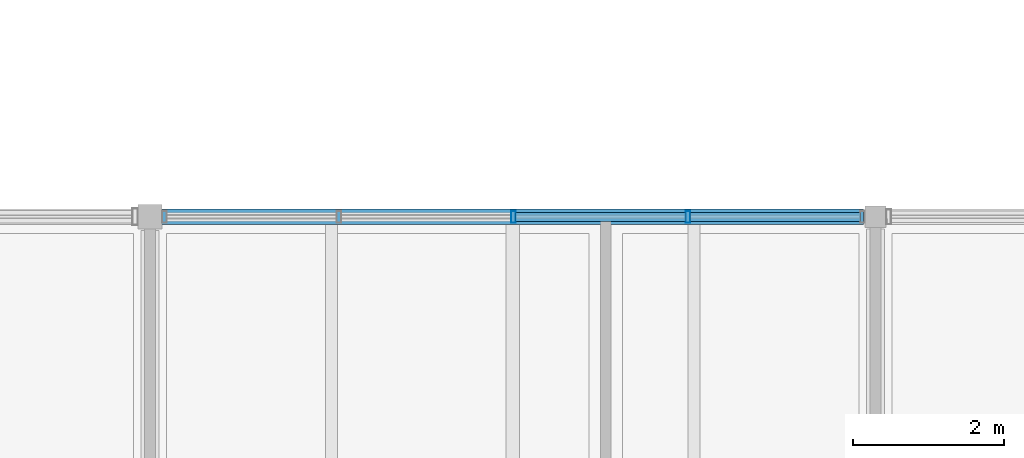
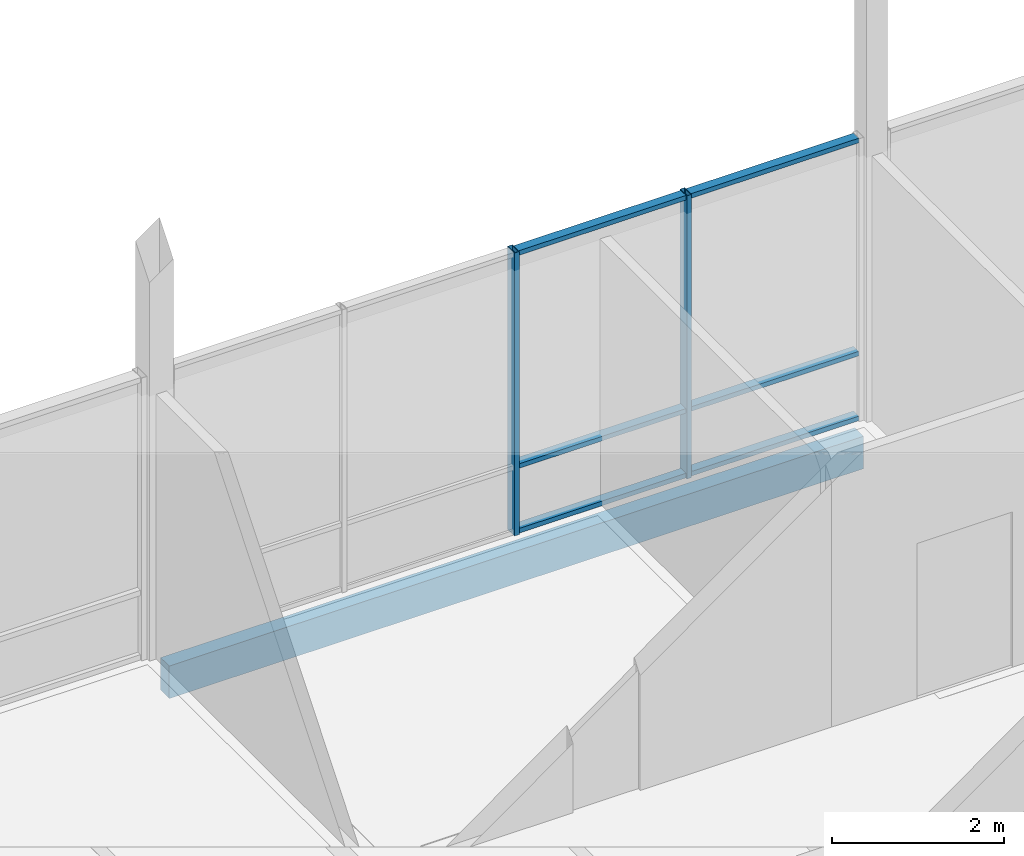
# One storey, part 24 of 57: 8 members, 1 beam, 1 element without a shape of its own.
"""IFC4 building model written with IfcOpenShell, lengths in metres."""

from ifc_helpers import new_model, si_unit, direction, frame, origin, origin_2d, place, context, subcontext, project, spatial, rectangle, hollow_rectangle, extrude, material, material_profile, profile_set, type_object, element, aggregate, save


model = new_model("IFC4")

# Units and contexts
model_context = context("Model", 3, precision=1e-05, world=origin(), true_north=direction((0.0, 1.0)))
body_context = subcontext(model_context, "Body", "Model", "MODEL_VIEW")
ifc_project = project(units=[si_unit("LENGTHUNIT", "METRE"), si_unit("AREAUNIT", "SQUARE_METRE"), si_unit("VOLUMEUNIT", "CUBIC_METRE"), si_unit("PLANEANGLEUNIT", "RADIAN"), si_unit("MASSUNIT", "GRAM", prefix="KILO")], contexts=[model_context])

# Site, building, storey
site_placement = place(None, origin())
site = spatial("IfcSite", under=ifc_project, at=site_placement, CompositionType="ELEMENT")
building_placement = place(site_placement, origin())
building = spatial("IfcBuilding", under=site, at=building_placement, Name="Hawrajan Terrace Health Centre", CompositionType="ELEMENT")
storey_placement = place(building_placement, frame((0.0, 0.0, 13.199951171875)))
storey = spatial("IfcBuildingStorey", under=building, at=storey_placement, Name="L03", CompositionType="ELEMENT", Elevation=13.199951171875)

# Curtain wall, members
ifc_material_1 = material(Name="Anodized bronze aluminium and low-E solar glazing", Category="aluminium")
curtain_wall_type = type_object("IfcCurtainWallType", Name="CW_Court_SeriesA3", PredefinedType="USERDEFINED", material=ifc_material_1)
curtain_wall_placement = place(storey_placement, origin())
curtain_wall = element("IfcCurtainWall", 1, at=curtain_wall_placement, inside=storey, type_object=curtain_wall_type, Name="Curtain wall CW-L03-171", ObjectType="UNITISED CURTAIN WALL", PredefinedType="USERDEFINED")
ifc_material_2 = material(Name="Anodized bronze aluminium 6063-T6", Category="aluminium")
ifc_material_profile_1 = material_profile(ifc_material_2, hollow_rectangle(XDim=0.06494140625, YDim=0.159912109375, WallThickness=0.00390625, at=origin_2d()), Name="CW MUL 65x160")
ifc_profile_set_1 = profile_set([ifc_material_profile_1], Name="Anodized bronze aluminium 6063-T6")
member_type_1 = type_object("IfcMemberType", Name="CWMullion_65x160", PredefinedType="MULLION", material=ifc_profile_set_1)
member_1_placement = place(storey_placement, frame((95.81005859375, 18.60009765625, -0.0048828125), z_axis=(0.0, 0.0, 1.0), x_axis=(1.0, 0.0, 0.0)))
member_1 = element("IfcMember", 2, at=member_1_placement, type_object=member_type_1, Name="Mullion CW-L03-171-M3", PredefinedType="MULLION", context=body_context, shape_type="SweptSolid", body=[
    extrude(hollow_rectangle(XDim=0.06494140625, YDim=0.159912109375, WallThickness=0.00390625, at=origin_2d()), origin(), (0.0, 0.0, 1.0), 4.010009765625),
])
member_2_placement = place(storey_placement, frame((98.11865234375, 18.60009765625, -0.0048828125), z_axis=(0.0, 0.0, 1.0), x_axis=(1.0, 0.0, 0.0)))
member_2 = element("IfcMember", 3, at=member_2_placement, type_object=member_type_1, Name="Mullion CW-L03-171-M4", PredefinedType="MULLION", context=body_context, shape_type="SweptSolid", body=[
    extrude(hollow_rectangle(XDim=0.06494140625, YDim=0.159912109375, WallThickness=0.00390625, at=origin_2d()), origin(), (0.0, 0.0, 1.0), 4.010009765625),
])
ifc_material_profile_2 = material_profile(ifc_material_2, hollow_rectangle(XDim=0.06494140625, YDim=0.1201171875, WallThickness=0.00341796875, at=origin_2d()), Name="CW TRN 65x120")
ifc_profile_set_2 = profile_set([ifc_material_profile_2], Name="Anodized bronze aluminium 6063-T6")
member_type_2 = type_object("IfcMemberType", Name="CWTransom_65x120", PredefinedType="USERDEFINED", material=ifc_profile_set_2)
member_3_placement = place(storey_placement, frame((95.83642578125, 18.60009765625, 0.032470703125), z_axis=(1.0, 0.0, 0.0), x_axis=(0.0, 0.0, 1.0)))
member_3 = element("IfcMember", 4, at=member_3_placement, type_object=member_type_2, Name="Transom CW-L03-171-T3-1", ObjectType="TRANSOM", PredefinedType="USERDEFINED", context=body_context, shape_type="SweptSolid", body=[
    extrude(hollow_rectangle(XDim=0.06494140625, YDim=0.1201171875, WallThickness=0.00341796875, at=origin_2d()), origin(), (0.0, 0.0, 1.0), 2.255859375),
])
member_4_placement = place(storey_placement, frame((95.83642578125, 18.60009765625, 0.949951171875), z_axis=(1.0, 0.0, 0.0), x_axis=(0.0, 0.0, 1.0)))
member_4 = element("IfcMember", 5, at=member_4_placement, type_object=member_type_2, Name="Transom CW-L03-171-T3-2", ObjectType="TRANSOM", PredefinedType="USERDEFINED", context=body_context, shape_type="SweptSolid", body=[
    extrude(hollow_rectangle(XDim=0.06494140625, YDim=0.1201171875, WallThickness=0.00341796875, at=origin_2d()), origin(), (0.0, 0.0, 1.0), 2.255859375),
])
member_5_placement = place(storey_placement, frame((95.83642578125, 18.60009765625, 3.967529296875), z_axis=(1.0, 0.0, 0.0), x_axis=(0.0, 0.0, 1.0)))
member_5 = element("IfcMember", 6, at=member_5_placement, type_object=member_type_2, Name="Transom CW-L03-171-T3-3", ObjectType="TRANSOM", PredefinedType="USERDEFINED", context=body_context, shape_type="SweptSolid", body=[
    extrude(hollow_rectangle(XDim=0.06494140625, YDim=0.1201171875, WallThickness=0.00341796875, at=origin_2d()), origin(), (0.0, 0.0, 1.0), 2.255859375),
])
member_6_placement = place(storey_placement, frame((98.145263671875, 18.60009765625, 0.032470703125), z_axis=(1.0, 0.0, 0.0), x_axis=(0.0, 0.0, 1.0)))
member_6 = element("IfcMember", 7, at=member_6_placement, type_object=member_type_2, Name="Transom CW-L03-171-T4-1", ObjectType="TRANSOM", PredefinedType="USERDEFINED", context=body_context, shape_type="SweptSolid", body=[
    extrude(hollow_rectangle(XDim=0.06494140625, YDim=0.1201171875, WallThickness=0.00341796875, at=origin_2d()), origin(), (0.0, 0.0, 1.0), 2.255615234375),
])
member_7_placement = place(storey_placement, frame((98.145263671875, 18.60009765625, 0.949951171875), z_axis=(1.0, 0.0, 0.0), x_axis=(0.0, 0.0, 1.0)))
member_7 = element("IfcMember", 8, at=member_7_placement, type_object=member_type_2, Name="Transom CW-L03-171-T4-2", ObjectType="TRANSOM", PredefinedType="USERDEFINED", context=body_context, shape_type="SweptSolid", body=[
    extrude(hollow_rectangle(XDim=0.06494140625, YDim=0.1201171875, WallThickness=0.00341796875, at=origin_2d()), origin(), (0.0, 0.0, 1.0), 2.255615234375),
])
member_8_placement = place(storey_placement, frame((98.145263671875, 18.60009765625, 3.967529296875), z_axis=(1.0, 0.0, 0.0), x_axis=(0.0, 0.0, 1.0)))
member_8 = element("IfcMember", 9, at=member_8_placement, type_object=member_type_2, Name="Transom CW-L03-171-T4-3", ObjectType="TRANSOM", PredefinedType="USERDEFINED", context=body_context, shape_type="SweptSolid", body=[
    extrude(hollow_rectangle(XDim=0.06494140625, YDim=0.1201171875, WallThickness=0.00341796875, at=origin_2d()), origin(), (0.0, 0.0, 1.0), 2.255615234375),
])
aggregate(curtain_wall, [member_1, member_2, member_3, member_4, member_5, member_6, member_7, member_8])

# Beam
ifc_material_3 = material(Name="Glulam GL32h", Category="wood")
ifc_material_profile_3 = material_profile(ifc_material_3, rectangle(XDim=0.199951171875, YDim=0.4599609375, at=origin_2d()), Name="GL SP 200x460")
ifc_profile_set_3 = profile_set([ifc_material_profile_3], Name="Glulam GL32h")
beam_type = type_object("IfcBeamType", Name="GlulamSpandrel_200x460", PredefinedType="SPANDREL", material=ifc_profile_set_3)
beam_placement = place(storey_placement, frame((91.139892578125, 18.60009765625, -0.43994140625), z_axis=(1.0, 0.0, 0.0), x_axis=(0.0, 1.0, 0.0)))
element("IfcBeam", 10, at=beam_placement, inside=storey, type_object=beam_type, Name="Beam BM-X-L03-C-12-Y3", PredefinedType="SPANDREL", context=body_context, shape_type="SweptSolid", body=[
    extrude(rectangle(XDim=0.199951171875, YDim=0.4599609375, at=origin_2d()), origin(), (0.0, 0.0, 1.0), 9.300048828125),
])

save(model, "model.ifc")
